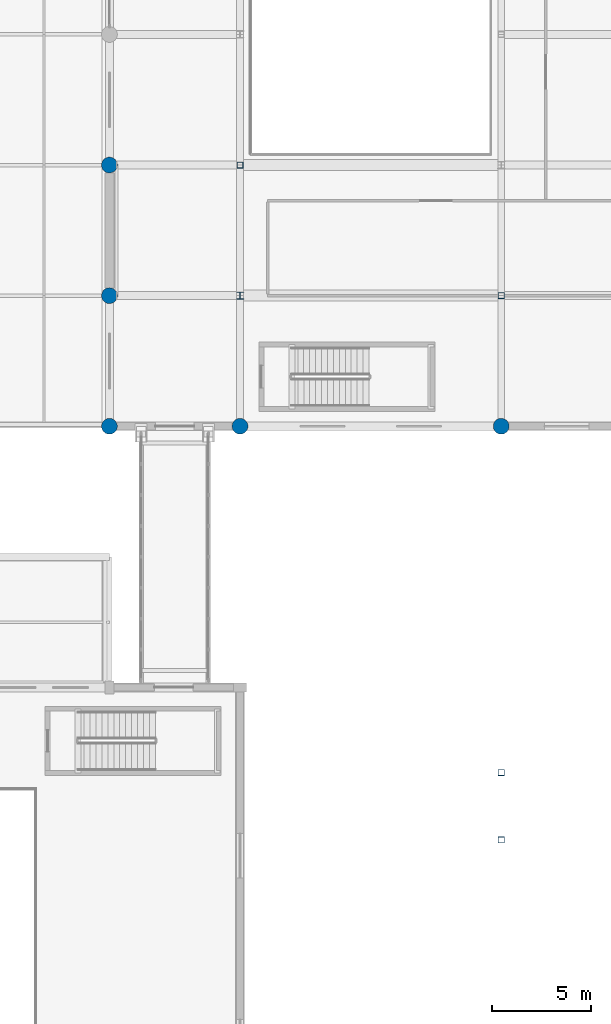
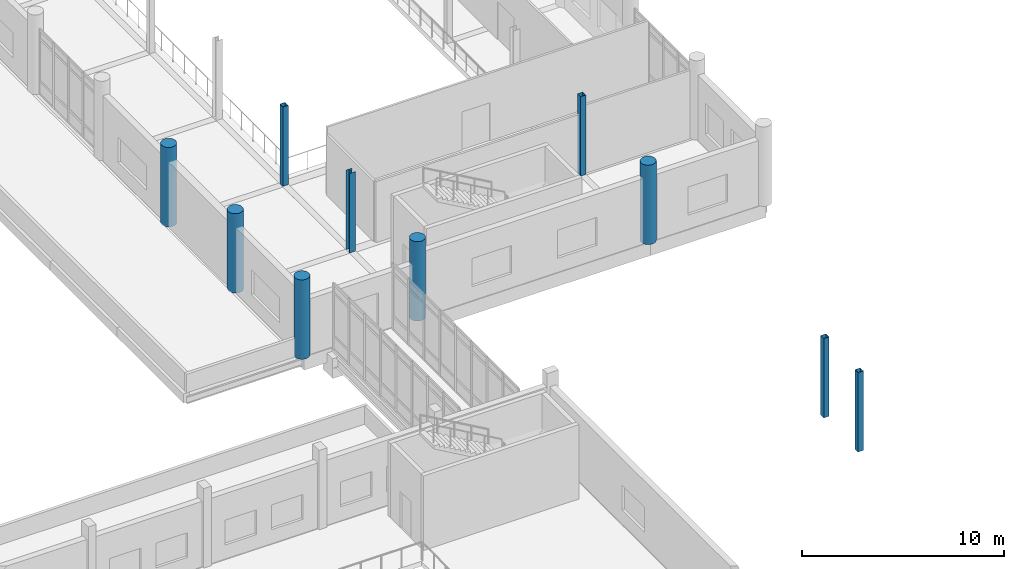
# One storey, part 2 of 125: 10 columns.
"""IFC4 building model written with IfcOpenShell, lengths in metres."""

from ifc_helpers import new_model, si_unit, direction, frame, origin, origin_2d, place, context, subcontext, project, spatial, hollow_rectangle, circle, i_section, extrude, material, material_profile, profile_set, type_object, element, save


model = new_model("IFC4")

# Units and contexts
model_context = context("Model", 3, precision=1e-05, world=origin(), true_north=direction((0.0, 1.0)))
body_context = subcontext(model_context, "Body", "Model", "MODEL_VIEW")
ifc_project = project(units=[si_unit("LENGTHUNIT", "METRE"), si_unit("AREAUNIT", "SQUARE_METRE"), si_unit("VOLUMEUNIT", "CUBIC_METRE"), si_unit("PLANEANGLEUNIT", "RADIAN"), si_unit("MASSUNIT", "GRAM", prefix="KILO")], contexts=[model_context])

# Site, building, storey
site_placement = place(None, origin())
site = spatial("IfcSite", under=ifc_project, at=site_placement, CompositionType="ELEMENT")
building_placement = place(site_placement, origin())
building = spatial("IfcBuilding", under=site, at=building_placement, Name="Dornvale Research Institute", CompositionType="ELEMENT")
storey_placement = place(building_placement, frame((0.0, 0.0, 5.39990234375)))
storey = spatial("IfcBuildingStorey", under=building, at=storey_placement, Name="L01", CompositionType="ELEMENT", Elevation=5.39990234375)

# Columns
ifc_material_1 = material(Name="Concrete f'c 45 MPa (C35/45)", Category="concrete")
ifc_material_profile_1 = material_profile(ifc_material_1, circle(Radius=0.39990234375, at=origin_2d()), Name="RC DIA 800")
ifc_profile_set_1 = profile_set([ifc_material_profile_1], Name="Concrete f'c 45 MPa (C35/45)")
column_type_1 = type_object("IfcColumnType", Name="Column_RCDia800_Ext", PredefinedType="COLUMN", material=ifc_profile_set_1)
for number, where, z_axis, x_axis, name in (
    (1, (39.60009765625, 39.60009765625, 0.0), (0.0, 0.0, 1.0), (1.0, 0.0, 0.0), "L01 column #1050"),
    (2, (39.60009765625, 46.199951171875, 0.0), (0.0, 0.0, 1.0), (1.0, 0.0, 0.0), "L01 column #1051"),
    (3, (39.60009765625, 52.800048828125, 0.0), (0.0, 0.0, 1.0), (1.0, 0.0, 0.0), "L01 column #1052"),
    (4, (46.199951171875, 39.60009765625, 0.0), (0.0, 0.0, 1.0), (1.0, 0.0, 0.0), "L01 column #1058"),
    (5, (59.39990234375, 39.60009765625, 0.0), (0.0, 0.0, 1.0), (1.0, 0.0, 0.0), "L01 column #1066"),
):
    element("IfcColumn", number, at=place(storey_placement, frame(where, z_axis=z_axis, x_axis=x_axis)), inside=storey, type_object=column_type_1, Name=name, PredefinedType="COLUMN", context=body_context, shape_type="SweptSolid", body=[
        extrude(circle(Radius=0.39990234375, at=origin_2d()), origin(), (0.0, 0.0, 1.0), 4.800048828125),
    ])
ifc_material_2 = material(Name="Steel ASTM A500 Grade C", Category="steel")
ifc_material_profile_2 = material_profile(ifc_material_2, hollow_rectangle(XDim=0.304931640625, YDim=0.304931640625, WallThickness=0.01171875, at=origin_2d()), Name="HSS305X305X12.7")
ifc_profile_set_2 = profile_set([ifc_material_profile_2], Name="Steel ASTM A500 Grade C")
column_type_2 = type_object("IfcColumnType", Name="Column_Steel_HSS305", PredefinedType="COLUMN", material=ifc_profile_set_2)
for number, where, z_axis, x_axis, name in (
    (6, (46.199951171875, 52.800048828125, 0.0), (0.0, 0.0, 1.0), (1.0, 0.0, 0.0), "L01 column #1060"),
    (7, (59.39990234375, 46.199951171875, 0.0), (0.0, 0.0, 1.0), (1.0, 0.0, 0.0), "L01 column #1067"),
):
    element("IfcColumn", number, at=place(storey_placement, frame(where, z_axis=z_axis, x_axis=x_axis)), inside=storey, type_object=column_type_2, Name=name, PredefinedType="COLUMN", context=body_context, shape_type="SweptSolid", body=[
        extrude(hollow_rectangle(XDim=0.304931640625, YDim=0.304931640625, WallThickness=0.01171875, at=origin_2d()), origin(), (0.0, 0.0, 1.0), 4.800048828125),
    ])
ifc_material_3 = material(Name="Steel ASTM A500 Grade C", Category="steel")
ifc_material_profile_3 = material_profile(ifc_material_3, hollow_rectangle(XDim=0.304931640625, YDim=0.304931640625, WallThickness=0.01171875, at=origin_2d()), Name="HSS305X305X12.7")
ifc_profile_set_3 = profile_set([ifc_material_profile_3], Name="Steel ASTM A500 Grade C")
column_type_3 = type_object("IfcColumnType", Name="Column_Steel_HSS305_Ext", PredefinedType="COLUMN", material=ifc_profile_set_3)
for number, where, z_axis, x_axis, name in (
    (8, (59.39990234375, 18.699951171875, 0.0), (0.0, 0.0, 1.0), (1.0, 0.0, 0.0), "L01 cloister link bridge pier #33"),
    (9, (59.39990234375, 22.10009765625, 0.0), (0.0, 0.0, 1.0), (1.0, 0.0, 0.0), "L01 cloister link bridge pier #45"),
):
    element("IfcColumn", number, at=place(storey_placement, frame(where, z_axis=z_axis, x_axis=x_axis)), inside=storey, type_object=column_type_3, Name=name, PredefinedType="COLUMN", context=body_context, shape_type="SweptSolid", body=[
        extrude(hollow_rectangle(XDim=0.304931640625, YDim=0.304931640625, WallThickness=0.01171875, at=origin_2d()), origin(), (0.0, 0.0, 1.0), 4.800048828125),
    ])
ifc_material_4 = material(Name="Steel ASTM A992 Grade 50", Category="steel")
ifc_material_profile_4 = material_profile(ifc_material_4, i_section(OverallWidth=0.35595703125, OverallDepth=0.35595703125, WebThickness=0.01123046875, FlangeThickness=0.01806640625, at=origin_2d()), Name="W14X90")
ifc_profile_set_4 = profile_set([ifc_material_profile_4], Name="Steel ASTM A992 Grade 50")
column_type_4 = type_object("IfcColumnType", Name="Column_Steel_W14X90", PredefinedType="COLUMN", material=ifc_profile_set_4)
column_placement = place(storey_placement, frame((46.199951171875, 46.199951171875, 0.0), z_axis=(0.0, 0.0, 1.0), x_axis=(1.0, 0.0, 0.0)))
element("IfcColumn", 10, at=column_placement, inside=storey, type_object=column_type_4, Name="L01 column #1059", PredefinedType="COLUMN", context=body_context, shape_type="SweptSolid", body=[
    extrude(i_section(OverallWidth=0.35595703125, OverallDepth=0.35595703125, WebThickness=0.01123046875, FlangeThickness=0.01806640625, at=origin_2d()), origin(), (0.0, 0.0, 1.0), 4.800048828125),
])

save(model, "model.ifc")
